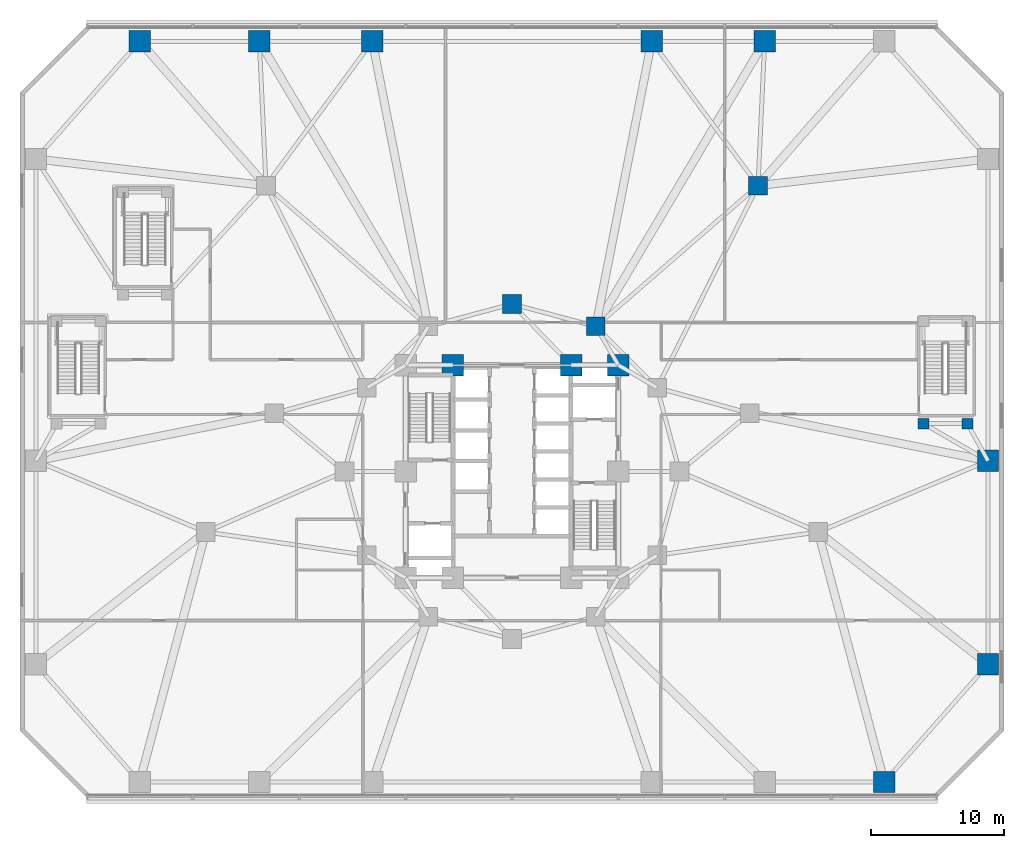
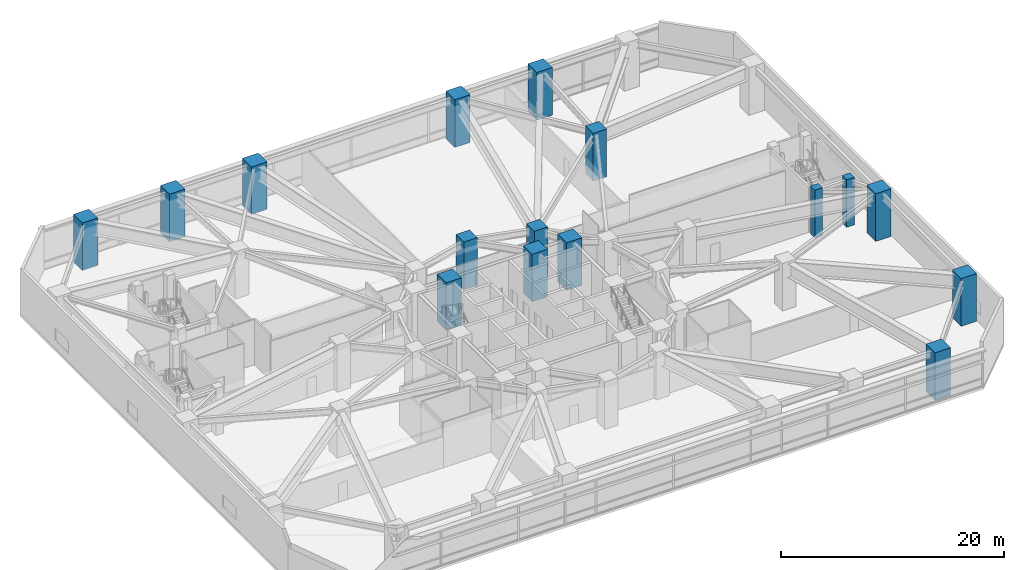
# One storey, part 3 of 27: 16 columns.
"""IFC4 building model written with IfcOpenShell, lengths in metres."""

from ifc_helpers import new_model, si_unit, direction, frame, origin, origin_2d, place, context, subcontext, project, spatial, rectangle, extrude, material, material_profile, profile_set, type_object, element, save


model = new_model("IFC4")

# Units and contexts
model_context = context("Model", 3, precision=1e-05, world=origin(), true_north=direction((0.0, 1.0)))
body_context = subcontext(model_context, "Body", "Model", "MODEL_VIEW")
ifc_project = project(units=[si_unit("LENGTHUNIT", "METRE"), si_unit("AREAUNIT", "SQUARE_METRE"), si_unit("VOLUMEUNIT", "CUBIC_METRE"), si_unit("PLANEANGLEUNIT", "RADIAN"), si_unit("MASSUNIT", "GRAM", prefix="KILO")], contexts=[model_context])

# Site, building, storey
site_placement = place(None, origin())
site = spatial("IfcSite", under=ifc_project, at=site_placement, CompositionType="ELEMENT")
building_placement = place(site_placement, origin())
building = spatial("IfcBuilding", under=site, at=building_placement, Name="Terralouvre Media Tower", CompositionType="ELEMENT")
storey_placement = place(building_placement, frame((0.0, 0.0, 5.199951171875)))
storey = spatial("IfcBuildingStorey", under=building, at=storey_placement, Name="L01", CompositionType="ELEMENT", Elevation=5.199951171875)

# Columns
ifc_material_1 = material(Name="Concrete C60/75", Category="concrete")
ifc_material_profile_1 = material_profile(ifc_material_1, rectangle(XDim=1.39990234375, YDim=1.39990234375, at=origin_2d()), Name="RC 1400x1400")
ifc_profile_set_1 = profile_set([ifc_material_profile_1], Name="Concrete C60/75")
column_type_1 = type_object("IfcColumnType", Name="Structural Column C-RC1400 (RC 1400x1400)", PredefinedType="COLUMN", material=ifc_profile_set_1)
for number, where, z_axis, x_axis, name in (
    (1, (6.300048828125, 10.911865234375, 0.0), (0.0, 0.0, 1.0), (1.0, 0.0, 0.0), "L01 Mega-Frame Column MC03"),
    (2, (0.0, 12.60009765625, 0.0), (0.0, 0.0, 1.0), (1.0, 0.0, 0.0), "L01 Mega-Frame Column MC04"),
    (3, (18.5, 21.5, 0.0), (0.0, 0.0, 1.0), (1.0, 0.0, 0.0), "L01 Podium Transfer Column PM20"),
):
    element("IfcColumn", number, at=place(storey_placement, frame(where, z_axis=z_axis, x_axis=x_axis)), inside=storey, type_object=column_type_1, Name=name, PredefinedType="COLUMN", context=body_context, shape_type="SweptSolid", body=[
        extrude(rectangle(XDim=1.39990234375, YDim=1.39990234375, at=origin_2d()), origin(), (0.0, 0.0, 1.0), 5.199951171875),
    ])
ifc_material_2 = material(Name="Concrete C60/75", Category="concrete")
ifc_material_profile_2 = material_profile(ifc_material_2, rectangle(XDim=1.60009765625, YDim=1.60009765625, at=origin_2d()), Name="RC 1600x1600")
ifc_profile_set_2 = profile_set([ifc_material_profile_2], Name="Concrete C60/75")
column_type_2 = type_object("IfcColumnType", Name="Structural Column C-RC1600 (RC 1600x1600)", PredefinedType="COLUMN", material=ifc_profile_set_2)
for number, where, z_axis, x_axis, name in (
    (4, (8.0, 8.0, 0.0), (0.0, 0.0, 1.0), (1.0, 0.0, 0.0), "L01 Core Pilaster Column CP5"),
    (5, (4.449951171875, 8.0, 0.0), (0.0, 0.0, 1.0), (1.0, 0.0, 0.0), "L01 Core Pilaster Column CP9"),
    (6, (-4.449951171875, 8.0, 0.0), (0.0, 0.0, 1.0), (1.0, 0.0, 0.0), "L01 Core Pilaster Column CP6"),
    (7, (28.0, -23.35009765625, 0.0), (0.0, 0.0, 1.0), (1.0, 0.0, 0.0), "L01 Perimeter Mega-Column PM06"),
    (8, (35.800048828125, -14.5, 0.0), (0.0, 0.0, 1.0), (1.0, 0.0, 0.0), "L01 Perimeter Mega-Column PM07"),
    (9, (35.800048828125, 0.800048828125, 0.0), (0.0, 0.0, 1.0), (1.0, 0.0, 0.0), "L01 Perimeter Mega-Column PM08"),
    (10, (19.0, 32.35009765625, 0.0), (0.0, 0.0, 1.0), (1.0, 0.0, 0.0), "L01 Perimeter Mega-Column PM11"),
    (11, (10.5, 32.35009765625, 0.0), (0.0, 0.0, 1.0), (1.0, 0.0, 0.0), "L01 Perimeter Mega-Column PM12"),
    (12, (-10.5, 32.35009765625, 0.0), (0.0, 0.0, 1.0), (1.0, 0.0, 0.0), "L01 Perimeter Mega-Column PM13"),
    (13, (-19.0, 32.35009765625, 0.0), (0.0, 0.0, 1.0), (1.0, 0.0, 0.0), "L01 Perimeter Mega-Column PM14"),
    (14, (-28.0, 32.35009765625, 0.0), (0.0, 0.0, 1.0), (1.0, 0.0, 0.0), "L01 Perimeter Mega-Column PM15"),
):
    element("IfcColumn", number, at=place(storey_placement, frame(where, z_axis=z_axis, x_axis=x_axis)), inside=storey, type_object=column_type_2, Name=name, PredefinedType="COLUMN", context=body_context, shape_type="SweptSolid", body=[
        extrude(rectangle(XDim=1.60009765625, YDim=1.60009765625, at=origin_2d()), origin(), (0.0, 0.0, 1.0), 5.199951171875),
    ])
ifc_material_3 = material(Name="Concrete C50/60", Category="concrete")
ifc_material_profile_3 = material_profile(ifc_material_3, rectangle(XDim=0.800048828125, YDim=0.800048828125, at=origin_2d()), Name="RC 800x800")
ifc_profile_set_3 = profile_set([ifc_material_profile_3], Name="Concrete C50/60")
column_type_3 = type_object("IfcColumnType", Name="Structural Column C-RC800 (RC 800x800)", PredefinedType="COLUMN", material=ifc_profile_set_3)
for number, where, z_axis, x_axis, name in (
    (15, (30.949951171875, 3.60009765625, 0.0), (0.0, 0.0, 1.0), (1.0, 0.0, 0.0), "L01 Stair Pavilion Support Column ST4C1"),
    (16, (34.25, 3.60009765625, 0.0), (0.0, 0.0, 1.0), (1.0, 0.0, 0.0), "L01 Stair Pavilion Support Column ST4C2"),
):
    element("IfcColumn", number, at=place(storey_placement, frame(where, z_axis=z_axis, x_axis=x_axis)), inside=storey, type_object=column_type_3, Name=name, PredefinedType="COLUMN", context=body_context, shape_type="SweptSolid", body=[
        extrude(rectangle(XDim=0.800048828125, YDim=0.800048828125, at=origin_2d()), origin(), (0.0, 0.0, 1.0), 5.199951171875),
    ])

save(model, "model.ifc")
